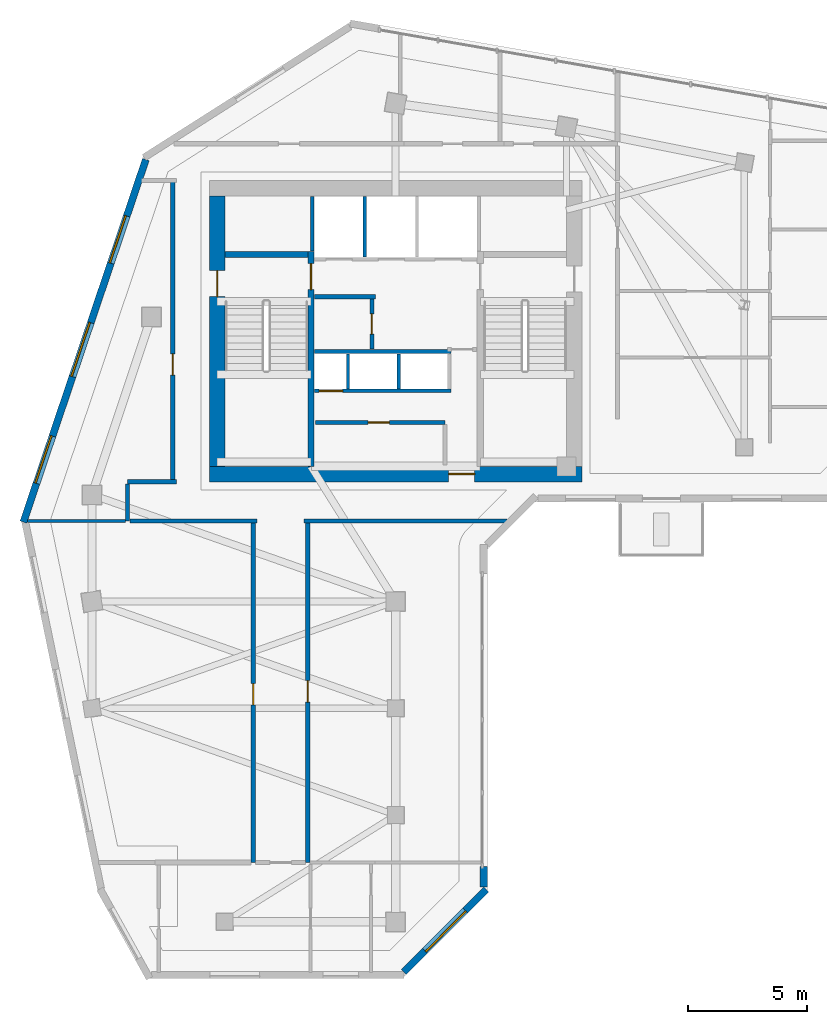
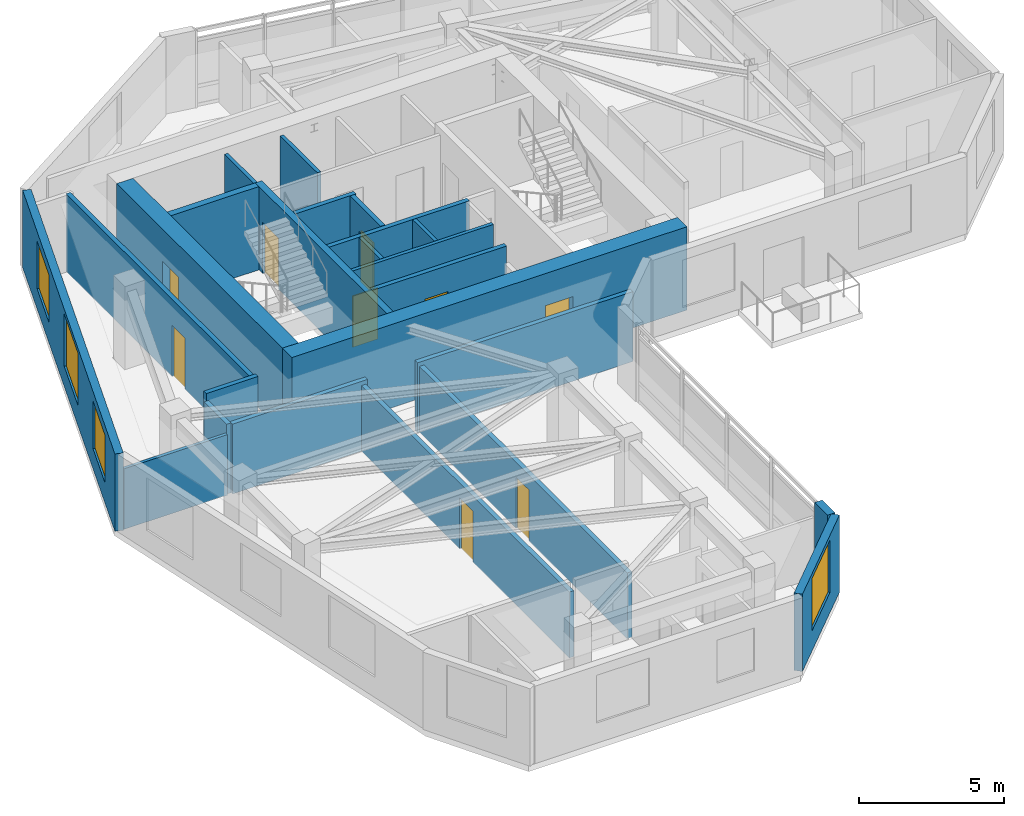
# One storey, part 4 of 9: 24 walls, 9 doors, 4 windows, 13 openings.
"""IFC4 building model written with IfcOpenShell, lengths in metres."""

from ifc_helpers import new_model, si_unit, direction, frame, frame_2d, origin, place, context, subcontext, project, spatial, rectangle, extrude, source, transform, mapped, material, layer, layer_set, type_object, element, fill, save


model = new_model("IFC4")

# Units and contexts
model_context = context("Model", 3, precision=1e-05, world=origin(), true_north=direction((0.0, 1.0)))
body_context = subcontext(model_context, "Body", "Model", "MODEL_VIEW")
ifc_project = project(units=[si_unit("LENGTHUNIT", "METRE"), si_unit("AREAUNIT", "SQUARE_METRE"), si_unit("VOLUMEUNIT", "CUBIC_METRE"), si_unit("PLANEANGLEUNIT", "RADIAN"), si_unit("MASSUNIT", "GRAM", prefix="KILO")], contexts=[model_context])

# Site, building, storey
site_placement = place(None, origin())
site = spatial("IfcSite", under=ifc_project, at=site_placement, CompositionType="ELEMENT")
building_placement = place(site_placement, origin())
building = spatial("IfcBuilding", under=site, at=building_placement, Name="Calvemar Wedge Station Tower", CompositionType="ELEMENT")
storey_placement = place(building_placement, frame((0.0, 0.0, 232.39990234375)))
storey = spatial("IfcBuildingStorey", under=building, at=storey_placement, Name="L59", CompositionType="ELEMENT", Elevation=232.39990234375)

# Wall, opening, door
ifc_material_1 = material(Name="Concrete C50", Category="concrete")
ifc_layer_1 = layer(ifc_material_1, 0.260009765625)
ifc_layer_set_1 = layer_set([ifc_layer_1], Name="Concrete C50")
wall_type_1 = type_object("IfcWallType", Name="SW-CORE-260", PredefinedType="SHEAR", material=ifc_layer_set_1)
wall_1_placement = place(storey_placement, frame((20.22998046875, 34.199951171875, 0.0), z_axis=(0.0, 0.0, 1.0), x_axis=(0.0, 1.0, 0.0)))
wall_1 = element("IfcWall", 1, at=wall_1_placement, inside=storey, type_object=wall_type_1, Name="Storey L59 Core Shear Wall SPINE-W", PredefinedType="SHEAR", context=body_context, shape_type="SweptSolid", body=[
    extrude(rectangle(XDim=9.06005859375, YDim=0.260009765625, at=frame_2d((4.530029296875, 0.0))), origin(), (0.0, 0.0, 1.0), 3.5),
])
shared_shape_1 = source(origin(), body_context, "Body", "SweptSolid", [
    extrude(rectangle(XDim=1.10009765625, YDim=2.14990234375, at=frame_2d((0.550048828125, 1.074951171875))), frame((0.0, 0.14013671875, 0.0), z_axis=(0.0, -1.0, 0.0), x_axis=(1.0, 0.0, 0.0)), (0.0, 0.0, 1.0), 0.280029296875),
])
opening_1_placement = place(wall_1_placement, frame((7.449951171875, 0.0, 0.0)))
opening_1 = element("IfcOpeningElement", 2, at=opening_1_placement, cuts=wall_1, Name="Opening FD-90", PredefinedType="OPENING", context=body_context, shape_type="MappedRepresentation", body=[
    mapped(shared_shape_1, transform((0.0, 0.0, 0.0), scale=1.0)),
])
ifc_material_2 = material(Name="Galvanized fire-rated steel door leaf P-90", Category="steel")
door_type_1 = type_object("IfcDoorType", Name="DR-FD90-1100", OperationType="NOTDEFINED", PredefinedType="DOOR", material=ifc_material_2)
shared_shape_2 = source(origin(), body_context, "Body", "SweptSolid", [
    extrude(rectangle(XDim=1.10009765625, YDim=2.14990234375, at=frame_2d((0.550048828125, 1.074951171875))), frame((0.0, 0.02490234375, 0.0), z_axis=(0.0, -1.0, 0.0), x_axis=(1.0, 0.0, 0.0)), (0.0, 0.0, 1.0), 0.050048828125),
])
door_1_placement = place(opening_1_placement, origin())
door_1 = element("IfcDoor", 3, at=door_1_placement, inside=storey, type_object=door_type_1, Name="L59 FF Lobby to Stair ST-C1 Door", OperationType="SINGLE_SWING_LEFT", OverallHeight=2.14990234375, OverallWidth=1.10009765625, PredefinedType="DOOR", context=body_context, shape_type="MappedRepresentation", body=[
    mapped(shared_shape_2, transform((0.0, 0.0, 0.0), scale=1.0)),
])
fill(opening_1, door_1)

# Wall
wall_2_placement = place(storey_placement, frame((16.60009765625, 43.1298828125, 0.0), z_axis=(0.0, 0.0, 1.0), x_axis=(1.0, 0.0, 0.0)))
element("IfcWall", 4, at=wall_2_placement, inside=storey, type_object=wall_type_1, Name="Storey L59 Core Shear Wall STC1-N", PredefinedType="SHEAR", context=body_context, shape_type="SweptSolid", body=[
    extrude(rectangle(XDim=3.5, YDim=0.260009765625, at=frame_2d((1.75, 0.0))), origin(), (0.0, 0.0, 1.0), 3.5),
])

# Wall, opening, door
ifc_material_3 = material(Name="Concrete C60", Category="concrete")
ifc_layer_2 = layer(ifc_material_3, 0.64990234375)
ifc_layer_set_2 = layer_set([ifc_layer_2], Name="Concrete C60")
wall_type_2 = type_object("IfcWallType", Name="SW-CORE-650", PredefinedType="SHEAR", material=ifc_layer_set_2)
wall_3_placement = place(storey_placement, frame((15.949951171875, 33.875, 0.0), z_axis=(0.0, 0.0, 1.0), x_axis=(1.0, 0.0, 0.0)))
wall_3 = element("IfcWall", 5, at=wall_3_placement, inside=storey, type_object=wall_type_2, Name="Storey L59 Core Shear Wall S", PredefinedType="SHEAR", context=body_context, shape_type="SweptSolid", body=[
    extrude(rectangle(XDim=15.699951171875, YDim=0.64990234375, at=frame_2d((7.85009765625, 0.0))), origin(), (0.0, 0.0, 1.0), 3.5),
])
shared_shape_3 = source(origin(), body_context, "Body", "SweptSolid", [
    extrude(rectangle(XDim=1.10009765625, YDim=2.14990234375, at=frame_2d((0.550048828125, 1.074951171875))), frame((0.0, 0.3349609375, 0.0), z_axis=(0.0, -1.0, 0.0), x_axis=(1.0, 0.0, 0.0)), (0.0, 0.0, 1.0), 0.669921875),
])
opening_2_placement = place(wall_3_placement, frame((10.080078125, 0.0, 0.0)))
opening_2 = element("IfcOpeningElement", 6, at=opening_2_placement, cuts=wall_3, Name="Opening FD-90", PredefinedType="OPENING", context=body_context, shape_type="MappedRepresentation", body=[
    mapped(shared_shape_3, transform((0.0, 0.0, 0.0), scale=1.0)),
])
door_2_placement = place(opening_2_placement, origin())
door_2 = element("IfcDoor", 7, at=door_2_placement, inside=storey, type_object=door_type_1, Name="L59 Passenger Lift Lobby Door", OperationType="SINGLE_SWING_LEFT", OverallHeight=2.14990234375, OverallWidth=1.10009765625, PredefinedType="DOOR", context=body_context, shape_type="MappedRepresentation", body=[
    mapped(shared_shape_2, transform((0.0, 0.0, 0.0), scale=1.0)),
])
fill(opening_2, door_2)

wall_4_placement = place(storey_placement, frame((16.27490234375, 34.199951171875, 0.0), z_axis=(0.0, 0.0, 1.0), x_axis=(0.0, 1.0, 0.0)))
wall_4 = element("IfcWall", 8, at=wall_4_placement, inside=storey, type_object=wall_type_2, Name="Storey L59 Core Shear Wall W", PredefinedType="SHEAR", context=body_context, shape_type="SweptSolid", body=[
    extrude(rectangle(XDim=11.400146484375, YDim=0.64990234375, at=frame_2d((5.7001953125, 0.0))), origin(), (0.0, 0.0, 1.0), 3.5),
])
opening_3_placement = place(wall_4_placement, frame((7.14990234375, 0.0, 0.0)))
opening_3 = element("IfcOpeningElement", 9, at=opening_3_placement, cuts=wall_4, Name="Opening FD-90", PredefinedType="OPENING", context=body_context, shape_type="MappedRepresentation", body=[
    mapped(shared_shape_3, transform((0.0, 0.0, 0.0), scale=1.0)),
])
door_3_placement = place(opening_3_placement, origin())
door_3 = element("IfcDoor", 10, at=door_3_placement, inside=storey, type_object=door_type_1, Name="L59 West Corridor to Exit Stair ST-C1 Door", OperationType="SINGLE_SWING_LEFT", OverallHeight=2.14990234375, OverallWidth=1.10009765625, PredefinedType="DOOR", context=body_context, shape_type="MappedRepresentation", body=[
    mapped(shared_shape_2, transform((0.0, 0.0, 0.0), scale=1.0)),
])
fill(opening_3, door_3)

# Wall
ifc_material_4 = material(Name="Double-stud fire-rated corridor partition")
ifc_layer_3 = layer(ifc_material_4, 0.179931640625)
ifc_layer_set_3 = layer_set([ifc_layer_3], Name="Double-stud fire-rated corridor partition")
wall_type_3 = type_object("IfcWallType", Name="W-CORR-180", PredefinedType="PARTITIONING", material=ifc_layer_set_3)
wall_5_placement = place(storey_placement, frame((22.9599609375, 41.35009765625, 0.0), z_axis=(0.0, 0.0, 1.0), x_axis=(-1.0, 0.0, 0.0)))
element("IfcWall", 11, at=wall_5_placement, inside=storey, type_object=wall_type_3, Name="Storey L59 Interior Partition WL-L59-001", PredefinedType="PARTITIONING", context=body_context, shape_type="SweptSolid", body=[
    extrude(rectangle(XDim=2.580078125, YDim=0.179931640625, at=frame_2d((1.2900390625, 0.0))), origin(), (0.0, 0.0, 1.0), 3.25),
])

# Wall, opening, door
wall_6_placement = place(storey_placement, frame((22.800048828125, 41.256103515625, 0.0), z_axis=(0.0, 0.0, 1.0), x_axis=(0.0, -1.0, 0.0)))
wall_6 = element("IfcWall", 12, at=wall_6_placement, inside=storey, type_object=wall_type_3, Name="Storey L59 Interior Partition WL-L59-002", PredefinedType="PARTITIONING", context=body_context, shape_type="SweptSolid", body=[
    extrude(rectangle(XDim=2.106201171875, YDim=0.179931640625, at=frame_2d((1.05322265625, 0.0))), origin(), (0.0, 0.0, 1.0), 3.25),
])
shared_shape_4 = source(origin(), body_context, "Body", "SweptSolid", [
    extrude(rectangle(XDim=0.85009765625, YDim=2.14990234375, at=frame_2d((0.425048828125, 1.074951171875))), frame((0.0, 0.10009765625, 0.0), z_axis=(0.0, -1.0, 0.0), x_axis=(1.0, 0.0, 0.0)), (0.0, 0.0, 1.0), 0.199951171875),
])
opening_4_placement = place(wall_6_placement, frame((0.6279296875, 0.0, 0.0)))
opening_4 = element("IfcOpeningElement", 13, at=opening_4_placement, cuts=wall_6, Name="Opening FD-60S", PredefinedType="OPENING", context=body_context, shape_type="MappedRepresentation", body=[
    mapped(shared_shape_4, transform((0.0, 0.0, 0.0), scale=1.0)),
])
ifc_material_5 = material(Name="Fire-rated steel and hardwood service door EI 60", Category="steel")
door_type_2 = type_object("IfcDoorType", Name="DR-CORE-FD60-850", OperationType="NOTDEFINED", PredefinedType="DOOR", material=ifc_material_5)
shared_shape_5 = source(origin(), body_context, "Body", "SweptSolid", [
    extrude(rectangle(XDim=0.85009765625, YDim=2.14990234375, at=frame_2d((0.425048828125, 1.074951171875))), frame((0.0, 0.02490234375, 0.0), z_axis=(0.0, -1.0, 0.0), x_axis=(1.0, 0.0, 0.0)), (0.0, 0.0, 1.0), 0.050048828125),
])
door_4_placement = place(opening_4_placement, origin())
door_4 = element("IfcDoor", 14, at=door_4_placement, inside=storey, type_object=door_type_2, Name="L59 Core Electrical Switch Room Door", OperationType="SINGLE_SWING_RIGHT", OverallHeight=2.14990234375, OverallWidth=0.85009765625, PredefinedType="DOOR", context=body_context, shape_type="MappedRepresentation", body=[
    mapped(shared_shape_5, transform((0.0, 0.0, 0.0), scale=1.0)),
])
fill(opening_4, door_4)

wall_7_placement = place(storey_placement, frame((20.419921875, 36.050048828125, 0.0), z_axis=(0.0, 0.0, 1.0), x_axis=(1.0, 0.0, 0.0)))
wall_7 = element("IfcWall", 15, at=wall_7_placement, inside=storey, type_object=wall_type_3, Name="Storey L59 Interior Partition WL-L59-004", PredefinedType="PARTITIONING", context=body_context, shape_type="SweptSolid", body=[
    extrude(rectangle(XDim=5.4599609375, YDim=0.179931640625, at=frame_2d((2.72998046875, 0.0))), origin(), (0.0, 0.0, 1.0), 3.25),
])
shared_shape_6 = source(origin(), body_context, "Body", "SweptSolid", [
    extrude(rectangle(XDim=0.89990234375, YDim=2.14990234375, at=frame_2d((0.449951171875, 1.074951171875))), frame((0.0, 0.10009765625, 0.0), z_axis=(0.0, -1.0, 0.0), x_axis=(1.0, 0.0, 0.0)), (0.0, 0.0, 1.0), 0.199951171875),
])
opening_5_placement = place(wall_7_placement, frame((2.219482421875, 0.0, 0.0)))
opening_5 = element("IfcOpeningElement", 16, at=opening_5_placement, cuts=wall_7, Name="Opening FD-60", PredefinedType="OPENING", context=body_context, shape_type="MappedRepresentation", body=[
    mapped(shared_shape_6, transform((0.0, 0.0, 0.0), scale=1.0)),
])
ifc_material_6 = material(Name="Fire-rated acoustic timber-core entrance door EI 60", Category="wood")
door_type_3 = type_object("IfcDoorType", Name="DR-FD60-900", OperationType="NOTDEFINED", PredefinedType="DOOR", material=ifc_material_6)
shared_shape_7 = source(origin(), body_context, "Body", "SweptSolid", [
    extrude(rectangle(XDim=0.89990234375, YDim=2.14990234375, at=frame_2d((0.449951171875, 1.074951171875))), frame((0.0, 0.02490234375, 0.0), z_axis=(0.0, -1.0, 0.0), x_axis=(1.0, 0.0, 0.0)), (0.0, 0.0, 1.0), 0.050048828125),
])
door_5_placement = place(opening_5_placement, origin())
door_5 = element("IfcDoor", 17, at=door_5_placement, inside=storey, type_object=door_type_3, Name="L59 Parcel and Resident Store Door", OperationType="SINGLE_SWING_RIGHT", OverallHeight=2.14990234375, OverallWidth=0.89990234375, PredefinedType="DOOR", context=body_context, shape_type="MappedRepresentation", body=[
    mapped(shared_shape_7, transform((0.0, 0.0, 0.0), scale=1.0)),
])
fill(opening_5, door_5)

# Walls
wall_8_placement = place(storey_placement, frame((12.5, 33.550048828125, 0.0), z_axis=(0.0, 0.0, 1.0), x_axis=(1.0, 0.0, 0.0)))
element("IfcWall", 18, at=wall_8_placement, inside=storey, type_object=wall_type_3, Name="Storey L59 Interior Partition WL-L59-006", PredefinedType="PARTITIONING", context=body_context, shape_type="SweptSolid", body=[
    extrude(rectangle(XDim=2.06005859375, YDim=0.179931640625, at=frame_2d((1.030029296875, 0.0))), origin(), (0.0, 0.0, 1.0), 3.25),
])
wall_9_placement = place(storey_placement, frame((12.5, 31.89990234375, 0.0), z_axis=(0.0, 0.0, 1.0), x_axis=(0.0, 1.0, 0.0)))
element("IfcWall", 19, at=wall_9_placement, inside=storey, type_object=wall_type_3, Name="Storey L59 Interior Partition WL-L59-007", PredefinedType="PARTITIONING", context=body_context, shape_type="SweptSolid", body=[
    extrude(rectangle(XDim=1.55615234375, YDim=0.179931640625, at=frame_2d((0.778076171875, 0.0))), origin(), (0.0, 0.0, 1.0), 2.93408203125),
])
wall_10_placement = place(storey_placement, frame((17.9599609375, 31.89990234375, 0.0), z_axis=(0.0, 0.0, 1.0), x_axis=(-1.0, 0.0, 0.0)))
element("IfcWall", 20, at=wall_10_placement, inside=storey, type_object=wall_type_3, Name="Storey L59 Interior Partition WL-L59-008", PredefinedType="PARTITIONING", context=body_context, shape_type="SweptSolid", body=[
    extrude(rectangle(XDim=5.365966796875, YDim=0.179931640625, at=frame_2d((2.68310546875, 0.0))), origin(), (0.0, 0.0, 1.0), 2.93408203125),
])
wall_11_placement = place(storey_placement, frame((28.497314453125, 31.89990234375, 0.0), z_axis=(0.0, 0.0, 1.0), x_axis=(-1.0, 0.0, 0.0)))
element("IfcWall", 21, at=wall_11_placement, inside=storey, type_object=wall_type_3, Name="Storey L59 Interior Partition WL-L59-009", PredefinedType="PARTITIONING", context=body_context, shape_type="SweptSolid", body=[
    extrude(rectangle(XDim=8.557373046875, YDim=0.179931640625, at=frame_2d((4.27880859375, 0.0))), origin(), (0.0, 0.0, 1.0), 2.93408203125),
])

# Wall, opening, door
wall_12_placement = place(storey_placement, frame((14.39990234375, 33.64404296875, 0.0), z_axis=(0.0, 0.0, 1.0), x_axis=(0.0, 1.0, 0.0)))
wall_12 = element("IfcWall", 22, at=wall_12_placement, inside=storey, type_object=wall_type_3, Name="Storey L59 Interior Partition WL-L59-010", PredefinedType="PARTITIONING", context=body_context, shape_type="SweptSolid", body=[
    extrude(rectangle(XDim=12.60595703125, YDim=0.179931640625, at=frame_2d((6.302978515625, 0.0))), origin(), (0.0, 0.0, 1.0), 3.25),
])
opening_6_placement = place(wall_12_placement, frame((4.399169921875, 0.0, 0.0)))
opening_6 = element("IfcOpeningElement", 23, at=opening_6_placement, cuts=wall_12, Name="Opening D-01", PredefinedType="OPENING", context=body_context, shape_type="MappedRepresentation", body=[
    mapped(shared_shape_6, transform((0.0, 0.0, 0.0), scale=1.0)),
])
ifc_material_7 = material(Name="Architectural hardwood acoustic swing door", Category="wood")
door_type_4 = type_object("IfcDoorType", Name="DR-INT-900", OperationType="NOTDEFINED", PredefinedType="DOOR", material=ifc_material_7)
shared_shape_8 = source(origin(), body_context, "Body", "SweptSolid", [
    extrude(rectangle(XDim=0.89990234375, YDim=2.14990234375, at=frame_2d((0.449951171875, 1.074951171875))), frame((0.0, 0.02490234375, 0.0), z_axis=(0.0, -1.0, 0.0), x_axis=(1.0, 0.0, 0.0)), (0.0, 0.0, 1.0), 0.050048828125),
])
door_6_placement = place(opening_6_placement, origin())
door_6 = element("IfcDoor", 24, at=door_6_placement, inside=storey, type_object=door_type_4, Name="L59 Resident Reading Lounge Door", OperationType="SINGLE_SWING_LEFT", OverallHeight=2.14990234375, OverallWidth=0.89990234375, PredefinedType="DOOR", context=body_context, shape_type="MappedRepresentation", body=[
    mapped(shared_shape_8, transform((0.0, 0.0, 0.0), scale=1.0)),
])
fill(opening_6, door_6)

wall_13_placement = place(storey_placement, frame((17.800048828125, 17.5, 0.0), z_axis=(0.0, 0.0, 1.0), x_axis=(0.0, 1.0, 0.0)))
wall_13 = element("IfcWall", 25, at=wall_13_placement, inside=storey, type_object=wall_type_3, Name="Storey L59 Interior Partition WL-L59-036", PredefinedType="PARTITIONING", context=body_context, shape_type="SweptSolid", body=[
    extrude(rectangle(XDim=14.305908203125, YDim=0.179931640625, at=frame_2d((7.15283203125, 0.0))), origin(), (0.0, 0.0, 1.0), 2.76611328125),
])
opening_7_placement = place(wall_13_placement, frame((6.64306640625, 0.0, 0.0)))
opening_7 = element("IfcOpeningElement", 26, at=opening_7_placement, cuts=wall_13, Name="Opening D-01", PredefinedType="OPENING", context=body_context, shape_type="MappedRepresentation", body=[
    mapped(shared_shape_6, transform((0.0, 0.0, 0.0), scale=1.0)),
])
door_7_placement = place(opening_7_placement, origin())
door_7 = element("IfcDoor", 27, at=door_7_placement, inside=storey, type_object=door_type_4, Name="L59 Fitness Studio Door", OperationType="SINGLE_SWING_LEFT", OverallHeight=2.14990234375, OverallWidth=0.89990234375, PredefinedType="DOOR", context=body_context, shape_type="MappedRepresentation", body=[
    mapped(shared_shape_8, transform((0.0, 0.0, 0.0), scale=1.0)),
])
fill(opening_7, door_7)

wall_14_placement = place(storey_placement, frame((20.10009765625, 31.805908203125, 0.0), z_axis=(0.0, 0.0, 1.0), x_axis=(0.0, -1.0, 0.0)))
wall_14 = element("IfcWall", 28, at=wall_14_placement, inside=storey, type_object=wall_type_3, Name="Storey L59 Interior Partition WL-L59-037", PredefinedType="PARTITIONING", context=body_context, shape_type="SweptSolid", body=[
    extrude(rectangle(XDim=14.305908203125, YDim=0.179931640625, at=frame_2d((7.15283203125, 0.0))), origin(), (0.0, 0.0, 1.0), 2.76611328125),
])
opening_8_placement = place(wall_14_placement, frame((6.64306640625, 0.0, 0.0)))
opening_8 = element("IfcOpeningElement", 29, at=opening_8_placement, cuts=wall_14, Name="Opening D-01", PredefinedType="OPENING", context=body_context, shape_type="MappedRepresentation", body=[
    mapped(shared_shape_6, transform((0.0, 0.0, 0.0), scale=1.0)),
])
door_8_placement = place(opening_8_placement, origin())
door_8 = element("IfcDoor", 30, at=door_8_placement, inside=storey, type_object=door_type_4, Name="L59 Resident Music Salon Door", OperationType="SINGLE_SWING_RIGHT", OverallHeight=2.14990234375, OverallWidth=0.89990234375, PredefinedType="DOOR", context=body_context, shape_type="MappedRepresentation", body=[
    mapped(shared_shape_8, transform((0.0, 0.0, 0.0), scale=1.0)),
])
fill(opening_8, door_8)

# Wall, opening, window
ifc_material_8 = material(Name="Precast concrete C45", Category="concrete")
ifc_layer_4 = layer(ifc_material_8, 0.300048828125)
ifc_layer_set_4 = layer_set([ifc_layer_4], Name="Precast concrete C45")
wall_type_4 = type_object("IfcWallType", Name="W-EXT-GFRC-300", PredefinedType="SOLIDWALL", material=ifc_layer_set_4)
wall_15_placement = place(storey_placement, frame((24.139892578125, 12.887939453125, 0.0), z_axis=(0.0, 0.0, 1.0), x_axis=(0.707106781187, 0.707106781187, 0.0)))
wall_15 = element("IfcWall", 31, at=wall_15_placement, inside=storey, type_object=wall_type_4, Name="Storey L59 Bronze GFRC Exterior Wall 3", PredefinedType="SOLIDWALL", context=body_context, shape_type="SweptSolid", body=[
    extrude(rectangle(XDim=4.921875, YDim=0.300048828125, at=frame_2d((2.4609375, 0.0))), origin(), (0.0, 0.0, 1.0), 3.25),
])
shared_shape_9 = source(origin(), body_context, "Body", "SweptSolid", [
    extrude(rectangle(XDim=2.39990234375, YDim=2.199951171875, at=frame_2d((1.199951171875, 1.10009765625))), frame((0.0, 0.16015625, 0.0), z_axis=(0.0, -1.0, 0.0), x_axis=(1.0, 0.0, 0.0)), (0.0, 0.0, 1.0), 0.320068359375),
])
opening_9_placement = place(wall_15_placement, frame((1.260986328125, 0.0, 0.85009765625)))
opening_9 = element("IfcOpeningElement", 32, at=opening_9_placement, cuts=wall_15, Name="Opening W1", PredefinedType="OPENING", context=body_context, shape_type="MappedRepresentation", body=[
    mapped(shared_shape_9, transform((0.0, 0.0, 0.0), scale=1.0)),
])
ifc_material_9 = material(Name="Low-E laminated insulated glass", Category="glass")
window_type_1 = type_object("IfcWindowType", Name="WIN-EXT-1", PartitioningType="SINGLE_PANEL", PredefinedType="WINDOW", material=ifc_material_9)
shared_shape_10 = source(origin(), body_context, "Body", "SweptSolid", [
    extrude(rectangle(XDim=2.39990234375, YDim=2.199951171875, at=frame_2d((1.199951171875, 1.10009765625))), frame((0.0, -0.014892578125, 0.0), z_axis=(0.0, -1.0, 0.0), x_axis=(1.0, 0.0, 0.0)), (0.0, 0.0, 1.0), 0.06005859375),
])
window_1_placement = place(opening_9_placement, origin())
window_1 = element("IfcWindow", 33, at=window_1_placement, inside=storey, type_object=window_type_1, Name="Storey L59 Recessed Window 3.1", OverallHeight=2.199951171875, OverallWidth=2.39990234375, PartitioningType="SINGLE_PANEL", PredefinedType="WINDOW", context=body_context, shape_type="MappedRepresentation", body=[
    mapped(shared_shape_10, transform((0.0, 0.0, 0.0), scale=1.0)),
])
fill(opening_9, window_1)

# Wall
wall_16_placement = place(storey_placement, frame((27.513916015625, 16.457275390625, 0.0), z_axis=(0.0, 0.0, 1.0), x_axis=(0.0, 1.0, 0.0)))
element("IfcWall", 34, at=wall_16_placement, inside=storey, type_object=wall_type_4, Name="Storey L59 Bronze GFRC Corner Pier 4A", PredefinedType="SOLIDWALL", context=body_context, shape_type="SweptSolid", body=[
    extrude(rectangle(XDim=0.88232421875, YDim=0.300048828125, at=frame_2d((0.441162109375, 0.0))), origin(), (0.0, 0.0, 1.0), 3.25),
])

# Wall, openings, windows
wall_17_placement = place(storey_placement, frame((13.2685546875, 47.1337890625, 0.0), z_axis=(0.0, 0.0, 1.0), x_axis=(-0.319920776449, -0.947444297464, 0.0)))
wall_17 = element("IfcWall", 35, at=wall_17_placement, inside=storey, type_object=wall_type_4, Name="Storey L59 Bronze GFRC Exterior Wall 12", PredefinedType="SOLIDWALL", context=body_context, shape_type="SweptSolid", body=[
    extrude(rectangle(XDim=16.13330078125, YDim=0.300048828125, at=frame_2d((8.066650390625, 0.0))), origin(), (0.0, 0.0, 1.0), 3.25),
])
shared_shape_11 = source(origin(), body_context, "Body", "SweptSolid", [
    extrude(rectangle(XDim=2.10009765625, YDim=2.0, at=frame_2d((1.050048828125, 1.0))), frame((0.0, 0.16015625, 0.0), z_axis=(0.0, -1.0, 0.0), x_axis=(1.0, 0.0, 0.0)), (0.0, 0.0, 1.0), 0.320068359375),
])
opening_10_placement = place(wall_17_placement, frame((2.512939453125, 0.0, 0.85009765625)))
opening_10 = element("IfcOpeningElement", 36, at=opening_10_placement, cuts=wall_17, Name="Opening W4", PredefinedType="OPENING", context=body_context, shape_type="MappedRepresentation", body=[
    mapped(shared_shape_11, transform((0.0, 0.0, 0.0), scale=1.0)),
])
opening_11_placement = place(wall_17_placement, frame((7.260009765625, 0.0, 0.85009765625)))
opening_11 = element("IfcOpeningElement", 37, at=opening_11_placement, cuts=wall_17, Name="Opening W1", PredefinedType="OPENING", context=body_context, shape_type="MappedRepresentation", body=[
    mapped(shared_shape_9, transform((0.0, 0.0, 0.0), scale=1.0)),
])
opening_12_placement = place(wall_17_placement, frame((12.306884765625, 0.0, 0.85009765625)))
opening_12 = element("IfcOpeningElement", 38, at=opening_12_placement, cuts=wall_17, Name="Opening W4", PredefinedType="OPENING", context=body_context, shape_type="MappedRepresentation", body=[
    mapped(shared_shape_11, transform((0.0, 0.0, 0.0), scale=1.0)),
])
window_type_2 = type_object("IfcWindowType", Name="WIN-EXT-4", PartitioningType="SINGLE_PANEL", PredefinedType="WINDOW", material=ifc_material_9)
shared_shape_12 = source(origin(), body_context, "Body", "SweptSolid", [
    extrude(rectangle(XDim=2.10009765625, YDim=2.0, at=frame_2d((1.050048828125, 1.0))), frame((0.0, -0.014892578125, 0.0), z_axis=(0.0, -1.0, 0.0), x_axis=(1.0, 0.0, 0.0)), (0.0, 0.0, 1.0), 0.06005859375),
])
window_2_placement = place(opening_10_placement, origin())
window_2 = element("IfcWindow", 39, at=window_2_placement, inside=storey, type_object=window_type_2, Name="Storey L59 Recessed Window 12.1", OverallHeight=2.0, OverallWidth=2.10009765625, PartitioningType="SINGLE_PANEL", PredefinedType="WINDOW", context=body_context, shape_type="MappedRepresentation", body=[
    mapped(shared_shape_12, transform((0.0, 0.0, 0.0), scale=1.0)),
])
fill(opening_10, window_2)
window_3_placement = place(opening_12_placement, origin())
window_3 = element("IfcWindow", 40, at=window_3_placement, inside=storey, type_object=window_type_2, Name="Storey L59 Recessed Window 12.3", OverallHeight=2.0, OverallWidth=2.10009765625, PartitioningType="SINGLE_PANEL", PredefinedType="WINDOW", context=body_context, shape_type="MappedRepresentation", body=[
    mapped(shared_shape_12, transform((0.0, 0.0, 0.0), scale=1.0)),
])
fill(opening_12, window_3)
window_4_placement = place(opening_11_placement, origin())
window_4 = element("IfcWindow", 41, at=window_4_placement, inside=storey, type_object=window_type_1, Name="Storey L59 Recessed Window 12.2", OverallHeight=2.199951171875, OverallWidth=2.39990234375, PartitioningType="SINGLE_PANEL", PredefinedType="WINDOW", context=body_context, shape_type="MappedRepresentation", body=[
    mapped(shared_shape_10, transform((0.0, 0.0, 0.0), scale=1.0)),
])
fill(opening_11, window_4)

# Walls
ifc_material_10 = material(Name="Reinforced concrete blockwork lift shaft wall", Category="masonry")
ifc_layer_5 = layer(ifc_material_10, 0.139892578125)
ifc_layer_set_5 = layer_set([ifc_layer_5], Name="Reinforced concrete blockwork lift shaft wall")
wall_type_5 = type_object("IfcWallType", Name="W-LIFT-160", PredefinedType="SOLIDWALL", material=ifc_layer_set_5)
wall_18_placement = place(storey_placement, frame((20.2900390625, 43.280029296875, 0.0), z_axis=(0.0, 0.0, 1.0), x_axis=(0.0, 1.0, 0.0)))
element("IfcWall", 42, at=wall_18_placement, inside=storey, type_object=wall_type_5, Name="Storey L59 Firefighting Lift Shaft Enclosure Wall W", PredefinedType="SOLIDWALL", context=body_context, shape_type="SweptSolid", body=[
    extrude(rectangle(XDim=2.300048828125, YDim=0.139892578125, at=frame_2d((1.14990234375, 0.0))), origin(), (0.0, 0.0, 1.0), 3.25),
])
wall_19_placement = place(storey_placement, frame((22.5, 43.02001953125, 0.0), z_axis=(0.0, 0.0, 1.0), x_axis=(0.0, 1.0, 0.0)))
element("IfcWall", 43, at=wall_19_placement, inside=storey, type_object=wall_type_5, Name="Storey L59 Firefighting Lift Shaft Enclosure Wall D1", PredefinedType="SOLIDWALL", context=body_context, shape_type="SweptSolid", body=[
    extrude(rectangle(XDim=2.56005859375, YDim=0.139892578125, at=frame_2d((1.280029296875, 0.0))), origin(), (0.0, 0.0, 1.0), 3.25),
])

# Wall, opening, door
wall_20_placement = place(storey_placement, frame((20.3798828125, 37.3798828125, 0.0), z_axis=(0.0, 0.0, 1.0), x_axis=(1.0, 0.0, 0.0)))
wall_20 = element("IfcWall", 44, at=wall_20_placement, inside=storey, type_object=wall_type_5, Name="Storey L59 Upper Passenger Lift Bank Front Wall", PredefinedType="SOLIDWALL", context=body_context, shape_type="SweptSolid", body=[
    extrude(rectangle(XDim=5.75, YDim=0.139892578125, at=frame_2d((2.875, 0.0))), origin(), (0.0, 0.0, 1.0), 3.25),
])
shared_shape_13 = source(origin(), body_context, "Body", "SweptSolid", [
    extrude(rectangle(XDim=1.0, YDim=2.14990234375, at=frame_2d((0.5, 1.074951171875))), frame((0.0, 0.080078125, 0.0), z_axis=(0.0, -1.0, 0.0), x_axis=(1.0, 0.0, 0.0)), (0.0, 0.0, 1.0), 0.159912109375),
])
opening_13_placement = place(wall_20_placement, frame((0.18994140625, 0.0, 0.0)))
opening_13 = element("IfcOpeningElement", 45, at=opening_13_placement, cuts=wall_20, Name="Opening LD-PAX", PredefinedType="OPENING", context=body_context, shape_type="MappedRepresentation", body=[
    mapped(shared_shape_13, transform((0.0, 0.0, 0.0), scale=1.0)),
])
ifc_material_11 = material(Name="Anodised bronze passenger lift sliding landing door")
door_type_5 = type_object("IfcDoorType", Name="DR-LD-PAX-1000", OperationType="SLIDING_TO_LEFT", PredefinedType="DOOR", material=ifc_material_11)
shared_shape_14 = source(origin(), body_context, "Body", "SweptSolid", [
    extrude(rectangle(XDim=1.0, YDim=2.14990234375, at=frame_2d((0.5, 1.074951171875))), frame((0.0, 0.02490234375, 0.0), z_axis=(0.0, -1.0, 0.0), x_axis=(1.0, 0.0, 0.0)), (0.0, 0.0, 1.0), 0.050048828125),
])
door_9_placement = place(opening_13_placement, origin())
door_9 = element("IfcDoor", 46, at=door_9_placement, inside=storey, type_object=door_type_5, Name="L59 Lift RH-01 Sliding Landing Door", OperationType="SLIDING_TO_LEFT", OverallHeight=2.14990234375, OverallWidth=1.0, PredefinedType="DOOR", context=body_context, shape_type="MappedRepresentation", body=[
    mapped(shared_shape_14, transform((0.0, 0.0, 0.0), scale=1.0)),
])
fill(opening_13, door_9)

# Walls
for number, where, z_axis, x_axis, name in (
    (47, (21.794921875, 37.4599609375, 0.0), (0.0, 0.0, 1.0), (0.0, 1.0, 0.0), "Storey L59 Upper Passenger Lift Shaft Wall D1"),
    (48, (23.93505859375, 37.4599609375, 0.0), (0.0, 0.0, 1.0), (0.0, 1.0, 0.0), "Storey L59 Upper Passenger Lift Shaft Wall D2"),
):
    element("IfcWall", number, at=place(storey_placement, frame(where, z_axis=z_axis, x_axis=x_axis)), inside=storey, type_object=wall_type_5, Name=name, PredefinedType="SOLIDWALL", context=body_context, shape_type="SweptSolid", body=[
        extrude(rectangle(XDim=1.47998046875, YDim=0.139892578125, at=frame_2d((0.739990234375, 0.0))), origin(), (0.0, 0.0, 1.0), 3.25),
    ])
ifc_material_12 = material(Name="Insulated acoustic gypsum stud partition")
ifc_layer_6 = layer(ifc_material_12, 0.125)
ifc_layer_set_6 = layer_set([ifc_layer_6], Name="Insulated acoustic gypsum stud partition")
wall_type_6 = type_object("IfcWallType", Name="W-PART-125", PredefinedType="PARTITIONING", material=ifc_layer_set_6)
wall_21_placement = place(storey_placement, frame((12.406005859375, 31.89990234375, 0.0), z_axis=(0.0, 0.0, 1.0), x_axis=(-1.0, 0.0, 0.0)))
element("IfcWall", 49, at=wall_21_placement, inside=storey, type_object=wall_type_6, Name="Storey L59 Interior Partition WL-L59-019", PredefinedType="PARTITIONING", context=body_context, shape_type="SweptSolid", body=[
    extrude(rectangle(XDim=4.11474609375, YDim=0.125, at=frame_2d((2.057373046875, 0.0))), origin(), (0.0, 0.0, 1.0), 2.5419921875),
])
ifc_material_13 = material(Name="Concrete blockwork and fireboard shaft wall", Category="masonry")
ifc_layer_7 = layer(ifc_material_13, 0.199951171875)
ifc_layer_set_7 = layer_set([ifc_layer_7], Name="Concrete blockwork and fireboard shaft wall")
wall_type_7 = type_object("IfcWallType", Name="W-SHAFT-200", PredefinedType="SOLIDWALL", material=ifc_layer_set_7)
wall_22_placement = place(storey_placement, frame((20.3798828125, 39.0400390625, 0.0), z_axis=(0.0, 0.0, 1.0), x_axis=(1.0, 0.0, 0.0)))
element("IfcWall", 50, at=wall_22_placement, inside=storey, type_object=wall_type_7, Name="Storey L59 Upper Passenger Lift Bank Rear Shaft Wall", PredefinedType="SOLIDWALL", context=body_context, shape_type="SweptSolid", body=[
    extrude(rectangle(XDim=5.75, YDim=0.179931640625, at=frame_2d((2.875, 0.0))), origin(), (0.0, 0.0, 1.0), 3.25),
])

save(model, "model.ifc")
